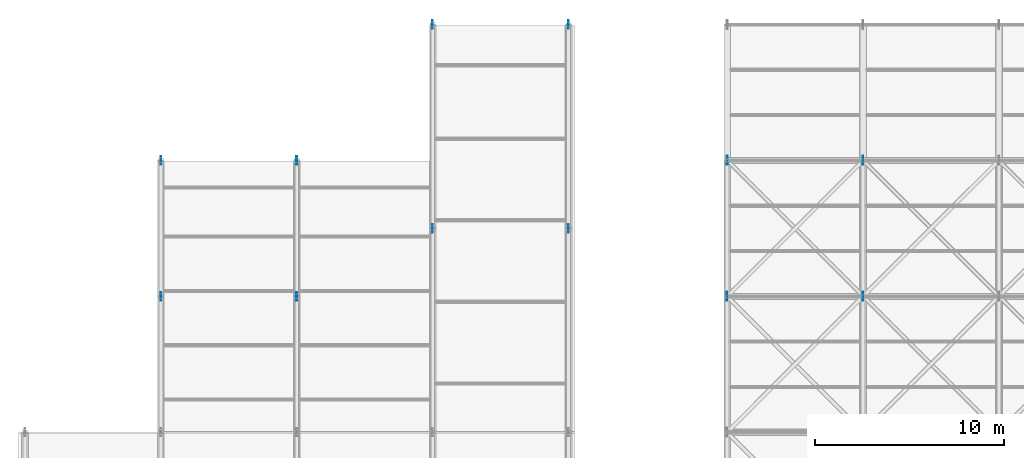
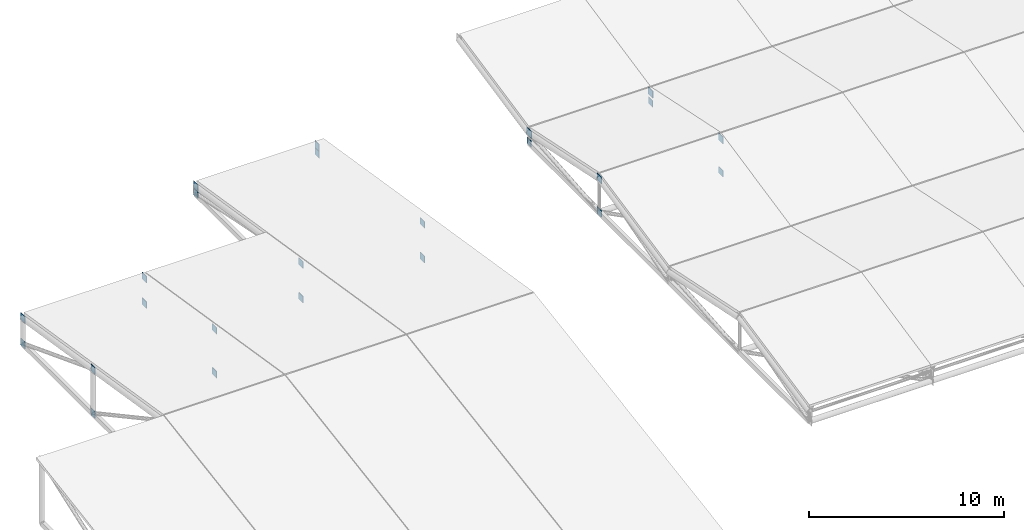
# One storey, part 66 of 72: 24 plates.
"""IFC4 building model written with IfcOpenShell, lengths in metres."""

from ifc_helpers import new_model, si_unit, direction, frame, origin, origin_2d, place, context, subcontext, project, spatial, rectangle, extrude, material, layer, layer_set, type_object, element, save


model = new_model("IFC4")

# Units and contexts
model_context = context("Model", 3, precision=1e-05, world=origin(), true_north=direction((0.0, 1.0)))
body_context = subcontext(model_context, "Body", "Model", "MODEL_VIEW")
ifc_project = project(units=[si_unit("LENGTHUNIT", "METRE"), si_unit("AREAUNIT", "SQUARE_METRE"), si_unit("VOLUMEUNIT", "CUBIC_METRE"), si_unit("PLANEANGLEUNIT", "RADIAN"), si_unit("MASSUNIT", "GRAM", prefix="KILO")], contexts=[model_context])

# Site, building, storey
site_placement = place(None, origin())
site = spatial("IfcSite", under=ifc_project, at=site_placement, CompositionType="ELEMENT")
building_placement = place(site_placement, origin())
building = spatial("IfcBuilding", under=site, at=building_placement, Name="Vaelcorin Mobility Hub", CompositionType="ELEMENT")
storey_placement = place(building_placement, frame((0.0, 0.0, 25.800048828125)))
storey = spatial("IfcBuildingStorey", under=building, at=storey_placement, Name="RF", CompositionType="ELEMENT", Elevation=25.800048828125)

# Plates
ifc_material = material(Name="Steel ASTM A572 Grade 50", Category="steel")
ifc_layer_1 = layer(ifc_material, 0.0380859375)
ifc_layer_set_1 = layer_set([ifc_layer_1], Name="Steel ASTM A572 Grade 50")
plate_type_1 = type_object("IfcPlateType", Name="PL-TN1", PredefinedType="USERDEFINED", material=ifc_layer_set_1)
for number, where, z_axis, x_axis, name in (
    (1, (43.199951171875, 112.800048828125, -1.719970703125), (0.0, 0.0, 1.0), (1.0, 0.0, 0.0), "Sports Roof Truss Node TN1 1-4"),
    (2, (50.39990234375, 112.800048828125, -1.719970703125), (0.0, 0.0, 1.0), (1.0, 0.0, 0.0), "Sports Roof Truss Node TN1 2-4"),
):
    element("IfcPlate", number, at=place(storey_placement, frame(where, z_axis=z_axis, x_axis=x_axis)), inside=storey, type_object=plate_type_1, Name=name, ObjectType="GUSSET PLATE", PredefinedType="USERDEFINED", context=body_context, shape_type="SweptSolid", body=[
        extrude(rectangle(XDim=0.0380859375, YDim=0.47998046875, at=origin_2d()), origin(), (0.0, 0.0, 1.0), 0.43994140625),
    ])
ifc_layer_2 = layer(ifc_material, 0.030029296875)
ifc_layer_set_2 = layer_set([ifc_layer_2], Name="Steel ASTM A572 Grade 50")
plate_type_2 = type_object("IfcPlateType", Name="PL-TN2", PredefinedType="USERDEFINED", material=ifc_layer_set_2)
plate_1_placement = place(storey_placement, frame((43.199951171875, 105.60009765625, -0.219970703125), z_axis=(0.0, 0.0, 1.0), x_axis=(1.0, 0.0, 0.0)))
element("IfcPlate", 3, at=plate_1_placement, inside=storey, type_object=plate_type_2, Name="Sports Roof Truss Node TN2 1-3", ObjectType="GUSSET PLATE", PredefinedType="USERDEFINED", context=body_context, shape_type="SweptSolid", body=[
    extrude(rectangle(XDim=0.030029296875, YDim=0.47998046875, at=origin_2d()), origin(), (0.0, 0.0, 1.0), 0.43994140625),
])
for number, where, z_axis, x_axis, name in (
    (4, (43.199951171875, 105.60009765625, -2.300048828125), (0.0, 0.0, 1.0), (1.0, 0.0, 0.0), "Sports Roof Truss Bottom Node 1-3"),
    (5, (43.199951171875, 112.800048828125, -2.300048828125), (0.0, 0.0, 1.0), (1.0, 0.0, 0.0), "Sports Roof Truss Bottom Node 1-4"),
):
    element("IfcPlate", number, at=place(storey_placement, frame(where, z_axis=z_axis, x_axis=x_axis)), inside=storey, type_object=plate_type_2, Name=name, ObjectType="GUSSET PLATE", PredefinedType="USERDEFINED", context=body_context, shape_type="SweptSolid", body=[
        extrude(rectangle(XDim=0.030029296875, YDim=0.43994140625, at=origin_2d()), origin(), (0.0, 0.0, 1.0), 0.39990234375),
    ])
plate_2_placement = place(storey_placement, frame((50.39990234375, 105.60009765625, -0.219970703125), z_axis=(0.0, 0.0, 1.0), x_axis=(1.0, 0.0, 0.0)))
element("IfcPlate", 6, at=plate_2_placement, inside=storey, type_object=plate_type_2, Name="Sports Roof Truss Node TN2 2-3", ObjectType="GUSSET PLATE", PredefinedType="USERDEFINED", context=body_context, shape_type="SweptSolid", body=[
    extrude(rectangle(XDim=0.030029296875, YDim=0.47998046875, at=origin_2d()), origin(), (0.0, 0.0, 1.0), 0.43994140625),
])
for number, where, z_axis, x_axis, name in (
    (7, (50.39990234375, 105.60009765625, -2.300048828125), (0.0, 0.0, 1.0), (1.0, 0.0, 0.0), "Sports Roof Truss Bottom Node 2-3"),
    (8, (50.39990234375, 112.800048828125, -2.300048828125), (0.0, 0.0, 1.0), (1.0, 0.0, 0.0), "Sports Roof Truss Bottom Node 2-4"),
):
    element("IfcPlate", number, at=place(storey_placement, frame(where, z_axis=z_axis, x_axis=x_axis)), inside=storey, type_object=plate_type_2, Name=name, ObjectType="GUSSET PLATE", PredefinedType="USERDEFINED", context=body_context, shape_type="SweptSolid", body=[
        extrude(rectangle(XDim=0.030029296875, YDim=0.43994140625, at=origin_2d()), origin(), (0.0, 0.0, 1.0), 0.39990234375),
    ])
for number, where, z_axis, x_axis, name in (
    (9, (13.199951171875, 105.60009765625, -1.662109375), (0.0, 0.0, 1.0), (1.0, 0.0, 0.0), "V2W Drum Truss Upper Node 2-3"),
    (10, (13.199951171875, 105.60009765625, -4.409912109375), (0.0, 0.0, 1.0), (1.0, 0.0, 0.0), "V2W Drum Truss Bottom Node 2-3"),
    (11, (13.199951171875, 112.800048828125, -2.81396484375), (0.0, 0.0, 1.0), (1.0, 0.0, 0.0), "V2W Drum Truss Upper Node 2-4"),
    (12, (13.199951171875, 112.800048828125, -4.409912109375), (0.0, 0.0, 1.0), (1.0, 0.0, 0.0), "V2W Drum Truss Bottom Node 2-4"),
    (13, (20.39990234375, 105.60009765625, -1.662109375), (0.0, 0.0, 1.0), (1.0, 0.0, 0.0), "V2W Drum Truss Upper Node 3-3"),
    (14, (20.39990234375, 105.60009765625, -4.409912109375), (0.0, 0.0, 1.0), (1.0, 0.0, 0.0), "V2W Drum Truss Bottom Node 3-3"),
    (15, (20.39990234375, 112.800048828125, -2.81396484375), (0.0, 0.0, 1.0), (1.0, 0.0, 0.0), "V2W Drum Truss Upper Node 3-4"),
    (16, (20.39990234375, 112.800048828125, -4.409912109375), (0.0, 0.0, 1.0), (1.0, 0.0, 0.0), "V2W Drum Truss Bottom Node 3-4"),
    (17, (27.60009765625, 109.199951171875, -2.238037109375), (0.0, 0.0, 1.0), (1.0, 0.0, 0.0), "V2W Drum Truss Upper Node 4-3"),
    (18, (27.60009765625, 109.199951171875, -4.409912109375), (0.0, 0.0, 1.0), (1.0, 0.0, 0.0), "V2W Drum Truss Bottom Node 4-3"),
    (19, (27.60009765625, 120.0, -3.966064453125), (0.0, 0.0, 1.0), (1.0, 0.0, 0.0), "V2W Drum Truss Upper Node 4-4"),
    (20, (27.60009765625, 120.0, -4.409912109375), (0.0, 0.0, 1.0), (1.0, 0.0, 0.0), "V2W Drum Truss Bottom Node 4-4"),
    (21, (34.800048828125, 109.199951171875, -2.238037109375), (0.0, 0.0, 1.0), (1.0, 0.0, 0.0), "V2W Drum Truss Upper Node 5-3"),
    (22, (34.800048828125, 109.199951171875, -4.409912109375), (0.0, 0.0, 1.0), (1.0, 0.0, 0.0), "V2W Drum Truss Bottom Node 5-3"),
    (23, (34.800048828125, 120.0, -3.966064453125), (0.0, 0.0, 1.0), (1.0, 0.0, 0.0), "V2W Drum Truss Upper Node 5-4"),
    (24, (34.800048828125, 120.0, -4.409912109375), (0.0, 0.0, 1.0), (1.0, 0.0, 0.0), "V2W Drum Truss Bottom Node 5-4"),
):
    element("IfcPlate", number, at=place(storey_placement, frame(where, z_axis=z_axis, x_axis=x_axis)), inside=storey, type_object=plate_type_2, Name=name, ObjectType="GUSSET PLATE", PredefinedType="USERDEFINED", context=body_context, shape_type="SweptSolid", body=[
        extrude(rectangle(XDim=0.030029296875, YDim=0.43994140625, at=origin_2d()), origin(), (0.0, 0.0, 1.0), 0.419921875),
    ])

save(model, "model.ifc")
